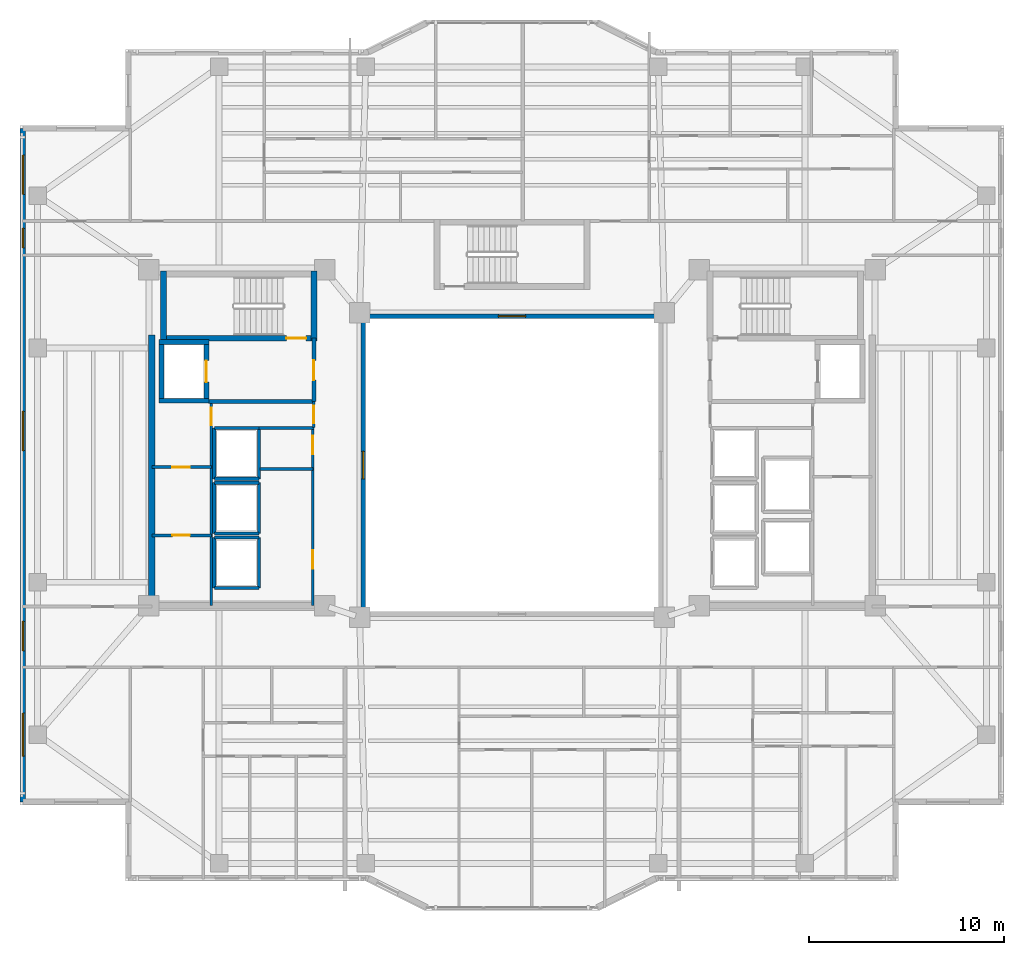
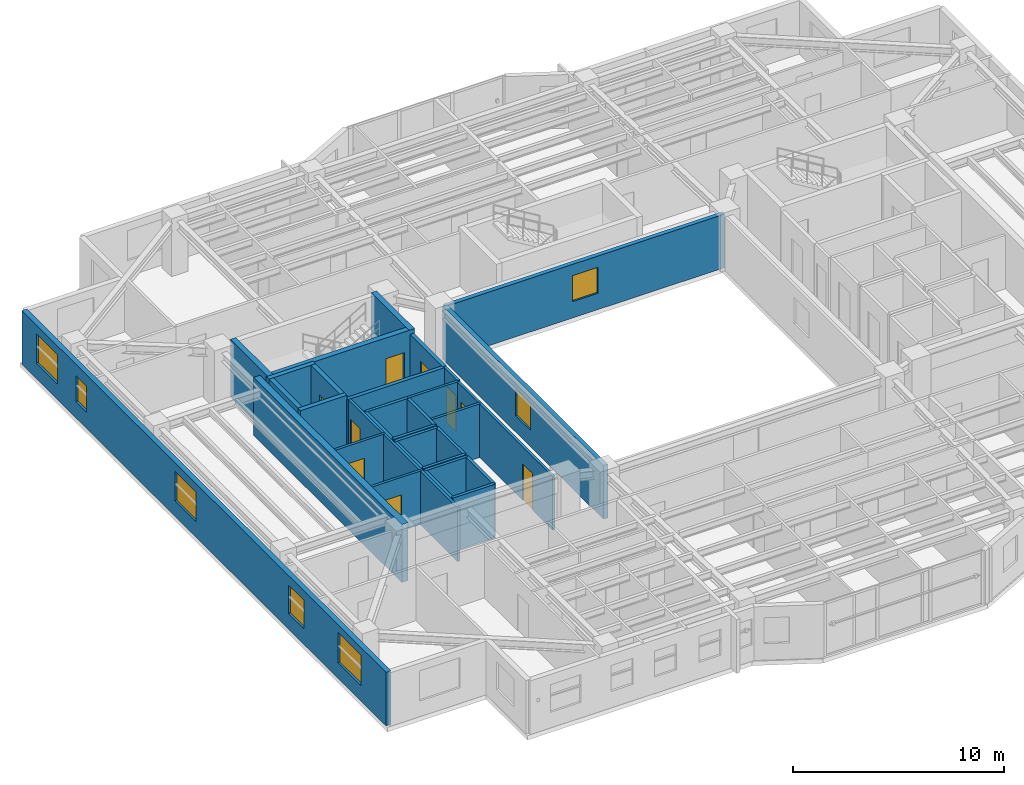
# One storey, part 7 of 16: 32 walls, 9 doors, 7 windows, 16 openings.
"""IFC4 building model written with IfcOpenShell, lengths in metres."""

import ifcopenshell
import ifcopenshell.guid

model = None  # the IFC model being written
_history = None  # IfcOwnerHistory: only IFC2X3 demands one
_inside = {}  # id of a spatial element -> (the spatial element, [elements in it])
_under = {}  # id of a project, library or spatial element -> (it, [spatial elements below it])
_declared = {}  # id of a project -> (the project, [libraries it declares])
_typed = {}  # id of a type object -> (the type object, [elements of that type])
_made_of = {}  # id of a material, layer set ... -> (it, [elements and type objects made of it])


def new_model(schema):
    """Start an empty IFC model of exactly this schema.

    Asked for "IFC4X3", IfcOpenShell would pick the latest addendum, in which some entities
    have other attributes; the version numbers below select the first issue.
    IFC2X3 requires an IfcOwnerHistory on every rooted entity: one is made here for all.
    """
    global model, _history
    if schema == "IFC4X3":
        model = ifcopenshell.file(schema_version=(4, 3, 0, 0))
    else:
        model = ifcopenshell.file(schema=schema)
    _inside.clear()
    _under.clear()
    _declared.clear()
    _typed.clear()
    _made_of.clear()
    _history = None
    if model.schema == "IFC2X3":
        org = make("IfcOrganization", Name="unknown")
        user = make(
            "IfcPersonAndOrganization",
            ThePerson=make("IfcPerson", FamilyName="unknown"),
            TheOrganization=org,
        )
        app = make(
            "IfcApplication",
            ApplicationDeveloper=org,
            Version="unknown",
            ApplicationFullName="unknown",
            ApplicationIdentifier="unknown",
        )
        _history = make(
            "IfcOwnerHistory",
            OwningUser=user,
            OwningApplication=app,
            ChangeAction="ADDED",
            CreationDate=0,
        )
    return model


def make(cls, **values):
    """One entity of the class cls with the attributes given. An attribute that is None is left unset."""
    return model.create_entity(
        cls, **{name: value for name, value in values.items() if value is not None}
    )


def rooted(cls, **values):
    """An entity with a GlobalId (a new one), such as an element, a storey or a relation."""
    return make(cls, GlobalId=ifcopenshell.guid.new(), OwnerHistory=_history, **values)


def si_unit(unit_type, name, prefix=None):
    """IfcSIUnit, for example si_unit("LENGTHUNIT", "METRE", prefix="MILLI")."""
    return make("IfcSIUnit", UnitType=unit_type, Prefix=prefix, Name=name)


def assignment(units):
    """IfcUnitAssignment: the units of a project."""
    return None if units is None else make("IfcUnitAssignment", Units=units)


def point(xyz):
    """IfcCartesianPoint."""
    return None if xyz is None else make("IfcCartesianPoint", Coordinates=xyz)


def direction(xyz):
    """IfcDirection."""
    return None if xyz is None else make("IfcDirection", DirectionRatios=xyz)


def frame(location, z_axis=None, x_axis=None):
    """IfcAxis2Placement3D, a coordinate frame: its origin and axes. An axis left out is left unset."""
    return make(
        "IfcAxis2Placement3D",
        Location=point(location),
        Axis=direction(z_axis),
        RefDirection=direction(x_axis),
    )


def frame_2d(location, x_axis=None):
    """IfcAxis2Placement2D, a coordinate frame in the plane: its origin and x axis."""
    return make(
        "IfcAxis2Placement2D", Location=point(location), RefDirection=direction(x_axis)
    )


def origin():
    """The frame at (0, 0, 0) with its axes left unset."""
    return frame((0.0, 0.0, 0.0))


def place(relative_to, where):
    """IfcLocalPlacement: puts the frame where relative to a parent placement (None: the world)."""
    return make(
        "IfcLocalPlacement", PlacementRelTo=relative_to, RelativePlacement=where
    )


def context(
    kind, dimensions, precision=None, world=None, true_north=None, identifier=None
):
    """IfcGeometricRepresentationContext, for example the 3D "Model" context."""
    return make(
        "IfcGeometricRepresentationContext",
        ContextIdentifier=identifier,
        ContextType=kind,
        CoordinateSpaceDimension=dimensions,
        Precision=precision,
        WorldCoordinateSystem=world,
        TrueNorth=true_north,
    )


def subcontext(parent, identifier, kind, view, scale=None):
    """IfcGeometricRepresentationSubContext, for example "Body" below "Model"."""
    return make(
        "IfcGeometricRepresentationSubContext",
        ContextIdentifier=identifier,
        ContextType=kind,
        ParentContext=parent,
        TargetScale=scale,
        TargetView=view,
    )


def project(units=None, contexts=None):
    """IfcProject with its units and contexts."""
    return rooted(
        "IfcProject",
        Name="project",
        RepresentationContexts=contexts,
        UnitsInContext=assignment(units),
    )


def spatial(cls, under=None, at=None, **own):
    """A site, building, storey or space (cls), placed at a placement, below another one or the project."""
    s = rooted(cls, ObjectPlacement=at, **own)
    if under is not None:
        _under.setdefault(under.id(), (under, []))[1].append(s)
    return s


def profile(cls, at=None, kind="AREA", **sizes):
    """A parametric profile (cls). Its sizes go by their IFC names, for example OverallWidth=200.0."""
    return make(cls, ProfileType=kind, Position=at, **sizes)


def rectangle(**sizes):
    """IfcRectangleProfileDef."""
    return profile("IfcRectangleProfileDef", **sizes)


def extrude(swept, where, along, depth):
    """IfcExtrudedAreaSolid: the profile swept, set in the frame where, extruded along a direction by depth."""
    return make(
        "IfcExtrudedAreaSolid",
        SweptArea=swept,
        Position=where,
        ExtrudedDirection=direction(along),
        Depth=depth,
    )


def shape(context_of_items, identifier, shape_type, items):
    """IfcShapeRepresentation: the items that make up one representation, for example the "Body"."""
    return make(
        "IfcShapeRepresentation",
        ContextOfItems=context_of_items,
        RepresentationIdentifier=identifier,
        RepresentationType=shape_type,
        Items=items,
    )


def material(Name=None, Category=None):
    """IfcMaterial."""
    return make("IfcMaterial", Name=Name, Category=Category)


def layer(
    of_material, thickness, ventilated=None, Name=None, Category=None, Priority=None
):
    """IfcMaterialLayer: one layer of a wall or slab, of a material (None: an air gap)."""
    return make(
        "IfcMaterialLayer",
        Material=of_material,
        LayerThickness=thickness,
        IsVentilated=ventilated,
        Name=Name,
        Category=Category,
        Priority=Priority,
    )


def layer_set(layers, Name=None):
    """IfcMaterialLayerSet."""
    return make("IfcMaterialLayerSet", MaterialLayers=layers, LayerSetName=Name)


def made_of(thing, what):
    """Note that an element or type object is made of a material, layer set ...; save() writes the relation."""
    if what is not None:
        _made_of.setdefault(what.id(), (what, []))[1].append(thing)
    return thing


def type_object(cls, material=None, **own):
    """A type object (cls), such as IfcWallType, which elements share."""
    return made_of(rooted(cls, **own), material)


def element(
    cls,
    number,
    at=None,
    inside=None,
    cuts=None,
    type_object=None,
    material=None,
    context=None,
    identifier="Body",
    shape_type=None,
    held_by="IfcProductDefinitionShape",
    body=None,
    shapes=None,
    **own,
):
    """One element of the class cls, such as IfcWall. Its Tag is "e" and its number.

    at: its placement. inside: the storey or other place that contains it. cuts: it is an
    opening in that element (IfcRelVoidsElement). A single representation is given by context,
    identifier, shape_type and body (its items); several are given by shapes. held_by: the class
    of the entity that holds the representations. save() writes the other relations.
    """
    e = rooted(cls, Tag="e%d" % number, ObjectPlacement=at, **own)
    if body is not None:
        shapes = [shape(context, identifier, shape_type, body)]
    if shapes is not None:
        e.Representation = make(held_by, Representations=shapes)
    if inside is not None:
        _inside.setdefault(inside.id(), (inside, []))[1].append(e)
    if cuts is not None:
        rooted(
            "IfcRelVoidsElement", RelatingBuildingElement=cuts, RelatedOpeningElement=e
        )
    if type_object is not None:
        _typed.setdefault(type_object.id(), (type_object, []))[1].append(e)
    return made_of(e, material)


def fill(opening, filler):
    """IfcRelFillsElement: the door or window that sits in an opening."""
    return rooted(
        "IfcRelFillsElement",
        RelatingOpeningElement=opening,
        RelatedBuildingElement=filler,
    )


def aggregate(whole, parts):
    """IfcRelAggregates: a whole, such as a stair, and the parts it consists of."""
    return rooted("IfcRelAggregates", RelatingObject=whole, RelatedObjects=parts)


def save(model, path):
    """Write the relations noted so far, then the file.

    IfcRelAggregates (storeys below a building ...), IfcRelContainedInSpatialStructure (elements
    in a storey), IfcRelDefinesByType, IfcRelAssociatesMaterial and IfcRelDeclares: one each for
    every whole, place, type object, material and project.
    """
    for whole, parts in _under.values():
        aggregate(whole, parts)
    for where, things in _inside.values():
        rooted(
            "IfcRelContainedInSpatialStructure",
            RelatedElements=things,
            RelatingStructure=where,
        )
    for kind, things in _typed.values():
        rooted("IfcRelDefinesByType", RelatedObjects=things, RelatingType=kind)
    for what, things in _made_of.values():
        rooted("IfcRelAssociatesMaterial", RelatedObjects=things, RelatingMaterial=what)
    for by, libraries in _declared.values():
        rooted("IfcRelDeclares", RelatingContext=by, RelatedDefinitions=libraries)
    model.write(path)


model = new_model("IFC4")

# Units and contexts
model_context = context("Model", 3, precision=1e-05, world=origin(), true_north=direction((0.0, 1.0)))
body_context = subcontext(model_context, "Body", "Model", "MODEL_VIEW")
ifc_project = project(units=[si_unit("LENGTHUNIT", "METRE"), si_unit("AREAUNIT", "SQUARE_METRE"), si_unit("VOLUMEUNIT", "CUBIC_METRE"), si_unit("PLANEANGLEUNIT", "RADIAN"), si_unit("MASSUNIT", "GRAM", prefix="KILO")], contexts=[model_context])

# Site, building, storey
site_placement = place(None, origin())
site = spatial("IfcSite", under=ifc_project, at=site_placement, CompositionType="ELEMENT")
building_placement = place(site_placement, origin())
building = spatial("IfcBuilding", under=site, at=building_placement, Name="Tarnavaz Court Tower", CompositionType="ELEMENT")
storey_placement = place(building_placement, frame((0.0, 0.0, 149.35009765625)))
storey = spatial("IfcBuildingStorey", under=building, at=storey_placement, Name="L40", CompositionType="ELEMENT", Elevation=149.35009765625)

# Wall
ifc_material_1 = material(Name="Concrete C50/60", Category="concrete")
ifc_layer_1 = layer(ifc_material_1, 0.25)
ifc_layer_set_1 = layer_set([ifc_layer_1], Name="Concrete C50/60")
wall_type_1 = type_object("IfcWallType", Name="WL-CORE-250-C50", PredefinedType="SHEAR", material=ifc_layer_set_1)
wall_1_placement = place(storey_placement, frame((-17.949951171875, 3.175048828125, 0.0), z_axis=(0.0, 0.0, 1.0), x_axis=(0.0, 1.0, 0.0)))
element("IfcWall", 1, at=wall_1_placement, inside=storey, type_object=wall_type_1, Name="L40 Lift FL-W1 Shaft Wall 017", PredefinedType="SHEAR", context=body_context, shape_type="SweptSolid", body=[
    extrude(rectangle(XDim=3.25, YDim=0.25, at=frame_2d((1.625, 0.0))), origin(), (0.0, 0.0, 1.0), 3.349853515625),
])

# Wall, opening, door
wall_2_placement = place(storey_placement, frame((-15.64990234375, 3.175048828125, 0.0), z_axis=(0.0, 0.0, 1.0), x_axis=(0.0, 1.0, 0.0)))
wall_2 = element("IfcWall", 2, at=wall_2_placement, inside=storey, type_object=wall_type_1, Name="L40 Lift FL-W1 Shaft Wall 018", PredefinedType="SHEAR", context=body_context, shape_type="SweptSolid", body=[
    extrude(rectangle(XDim=3.25, YDim=0.25, at=frame_2d((1.625, 0.0))), origin(), (0.0, 0.0, 1.0), 3.349853515625),
])
opening_1_placement = place(wall_2_placement, frame((1.074951171875, 0.0, 0.0)))
opening_1 = element("IfcOpeningElement", 3, at=opening_1_placement, cuts=wall_2, Name="Opening LD1", PredefinedType="OPENING", context=body_context, shape_type="SweptSolid", body=[
    extrude(rectangle(XDim=1.10009765625, YDim=2.14990234375, at=frame_2d((0.550048828125, 1.074951171875))), frame((0.0, 0.135009765625, 0.0), z_axis=(0.0, -1.0, 0.0), x_axis=(1.0, 0.0, 0.0)), (0.0, 0.0, 1.0), 0.27001953125),
])
ifc_material_2 = material(Name="Stainless Steel", Category="steel")
door_type_1 = type_object("IfcDoorType", Name="DR-LD-1100", OperationType="NOTDEFINED", PredefinedType="DOOR", material=ifc_material_2)
door_1_placement = place(opening_1_placement, origin())
door_1 = element("IfcDoor", 4, at=door_1_placement, inside=storey, type_object=door_type_1, Name="L40 Lift Landing Door LD-FL-W1", OperationType="SLIDING_TO_LEFT", OverallHeight=2.14990234375, OverallWidth=1.10009765625, PredefinedType="DOOR", context=body_context, shape_type="SweptSolid", body=[
    extrude(rectangle(XDim=1.10009765625, YDim=2.14990234375, at=frame_2d((0.550048828125, 1.074951171875))), frame((0.0, 0.02490234375, 0.0), z_axis=(0.0, -1.0, 0.0), x_axis=(1.0, 0.0, 0.0)), (0.0, 0.0, 1.0), 0.050048828125),
])
fill(opening_1, door_1)

# Walls
for number, where, z_axis, x_axis, name in (
    (5, (-18.074951171875, 3.300048828125, 0.0), (0.0, 0.0, 1.0), (1.0, 0.0, 0.0), "L40 Lift FL-W1 Shaft Wall 019"),
    (6, (-18.074951171875, 6.300048828125, 0.0), (0.0, 0.0, 1.0), (1.0, 0.0, 0.0), "L40 Lift FL-W1 Shaft Wall 020"),
):
    element("IfcWall", number, at=place(storey_placement, frame(where, z_axis=z_axis, x_axis=x_axis)), inside=storey, type_object=wall_type_1, Name=name, PredefinedType="SHEAR", context=body_context, shape_type="SweptSolid", body=[
        extrude(rectangle(XDim=2.550048828125, YDim=0.25, at=frame_2d((1.27490234375, 0.0))), origin(), (0.0, 0.0, 1.0), 3.349853515625),
    ])

# Wall, opening, door
ifc_layer_2 = layer(ifc_material_1, 0.300048828125)
ifc_layer_set_2 = layer_set([ifc_layer_2], Name="Concrete C50/60")
wall_type_2 = type_object("IfcWallType", Name="WL-CORE-300-C50", PredefinedType="SHEAR", material=ifc_layer_set_2)
wall_3_placement = place(storey_placement, frame((-18.0, 6.5, 0.0), z_axis=(0.0, 0.0, 1.0), x_axis=(1.0, 0.0, 0.0)))
wall_3 = element("IfcWall", 7, at=wall_3_placement, inside=storey, type_object=wall_type_2, Name="L40 West Stair Core Wall 002", PredefinedType="SHEAR", context=body_context, shape_type="SweptSolid", body=[
    extrude(rectangle(XDim=8.0, YDim=0.300048828125, at=frame_2d((4.0, 0.0))), origin(), (0.0, 0.0, 1.0), 3.349853515625),
])
opening_2_placement = place(wall_3_placement, frame((6.449951171875, 0.0, 0.0)))
opening_2 = element("IfcOpeningElement", 8, at=opening_2_placement, cuts=wall_3, Name="Opening D01", PredefinedType="OPENING", context=body_context, shape_type="SweptSolid", body=[
    extrude(rectangle(XDim=1.0, YDim=2.14990234375, at=frame_2d((0.5, 1.074951171875))), frame((0.0, 0.159912109375, 0.0), z_axis=(0.0, -1.0, 0.0), x_axis=(1.0, 0.0, 0.0)), (0.0, 0.0, 1.0), 0.320068359375),
])
ifc_material_3 = material(Name="Fire-Rated Hardwood Timber Core", Category="wood")
door_type_2 = type_object("IfcDoorType", Name="DR-FD90-1000", OperationType="NOTDEFINED", PredefinedType="DOOR", material=ifc_material_3)
door_2_placement = place(opening_2_placement, origin())
door_2 = element("IfcDoor", 9, at=door_2_placement, inside=storey, type_object=door_type_2, Name="L40 Stair ST-W1 Exit Door", OperationType="SINGLE_SWING_LEFT", OverallHeight=2.14990234375, OverallWidth=1.0, PredefinedType="DOOR", context=body_context, shape_type="SweptSolid", body=[
    extrude(rectangle(XDim=1.0, YDim=2.14990234375, at=frame_2d((0.5, 1.074951171875))), frame((0.0, 0.02490234375, 0.0), z_axis=(0.0, -1.0, 0.0), x_axis=(1.0, 0.0, 0.0)), (0.0, 0.0, 1.0), 0.050048828125),
])
fill(opening_2, door_2)

# Walls
for number, where, z_axis, x_axis, name in (
    (10, (-17.85009765625, 6.35009765625, 0.0), (0.0, 0.0, 1.0), (0.0, 1.0, 0.0), "L40 West Stair Core Wall 003"),
    (11, (-10.14990234375, 6.35009765625, 0.0), (0.0, 0.0, 1.0), (0.0, 1.0, 0.0), "L40 West Stair Core Wall 004"),
):
    element("IfcWall", number, at=place(storey_placement, frame(where, z_axis=z_axis, x_axis=x_axis)), inside=storey, type_object=wall_type_2, Name=name, PredefinedType="SHEAR", context=body_context, shape_type="SweptSolid", body=[
        extrude(rectangle(XDim=3.58984375, YDim=0.300048828125, at=frame_2d((1.794921875, 0.0))), origin(), (0.0, 0.0, 1.0), 3.349853515625),
    ])
ifc_layer_3 = layer(ifc_material_1, 0.35009765625)
ifc_layer_set_3 = layer_set([ifc_layer_3], Name="Concrete C50/60")
wall_type_3 = type_object("IfcWallType", Name="WL-CORE-350-C50", PredefinedType="SHEAR", material=ifc_layer_set_3)
wall_4_placement = place(storey_placement, frame((-18.449951171875, -7.375, 0.0), z_axis=(0.0, 0.0, 1.0), x_axis=(0.0, 1.0, 0.0)))
element("IfcWall", 12, at=wall_4_placement, inside=storey, type_object=wall_type_3, Name="L40 West Core Shear Wall 057", PredefinedType="SHEAR", context=body_context, shape_type="SweptSolid", body=[
    extrude(rectangle(XDim=14.050048828125, YDim=0.35009765625, at=frame_2d((7.02490234375, 0.0))), origin(), (0.0, 0.0, 1.0), 3.349853515625),
])

# Wall, openings, windows
ifc_material_4 = material(Name="Precast Concrete C40/50", Category="concrete")
ifc_layer_4 = layer(ifc_material_4, 0.280029296875)
ifc_layer_set_4 = layer_set([ifc_layer_4], Name="Precast Concrete C40/50")
wall_type_4 = type_object("IfcWallType", Name="WL-EXT-280", PredefinedType="SOLIDWALL", material=ifc_layer_set_4)
wall_5_placement = place(storey_placement, frame((-25.050048828125, -17.25, 0.0), z_axis=(0.0, 0.0, 1.0), x_axis=(0.0, 1.0, 0.0)))
wall_5 = element("IfcWall", 13, at=wall_5_placement, inside=storey, type_object=wall_type_4, Name="L40 Exterior Terracotta Facade Wall 02", PredefinedType="SOLIDWALL", context=body_context, shape_type="SweptSolid", body=[
    extrude(rectangle(XDim=34.5, YDim=0.280029296875, at=frame_2d((17.25, 0.0))), origin(), (0.0, 0.0, 1.0), 3.099853515625),
])
opening_3_placement = place(wall_5_placement, frame((2.35009765625, 0.0, 0.89990234375)))
opening_3 = element("IfcOpeningElement", 14, at=opening_3_placement, cuts=wall_5, Name="Opening W07", PredefinedType="OPENING", context=body_context, shape_type="SweptSolid", body=[
    extrude(rectangle(XDim=2.199951171875, YDim=1.75, at=frame_2d((1.10009765625, 0.875))), frame((0.0, 0.14990234375, 0.0), z_axis=(0.0, -1.0, 0.0), x_axis=(1.0, 0.0, 0.0)), (0.0, 0.0, 1.0), 0.300048828125),
])
opening_4_placement = place(wall_5_placement, frame((7.742431640625, 0.0, 0.89990234375)))
opening_4 = element("IfcOpeningElement", 15, at=opening_4_placement, cuts=wall_5, Name="Opening W03", PredefinedType="OPENING", context=body_context, shape_type="SweptSolid", body=[
    extrude(rectangle(XDim=1.5, YDim=1.64990234375, at=frame_2d((0.75, 0.824951171875))), frame((0.0, 0.14990234375, 0.0), z_axis=(0.0, -1.0, 0.0), x_axis=(1.0, 0.0, 0.0)), (0.0, 0.0, 1.0), 0.300048828125),
])
opening_5_placement = place(wall_5_placement, frame((18.0, 0.0, 0.89990234375)))
opening_5 = element("IfcOpeningElement", 16, at=opening_5_placement, cuts=wall_5, Name="Opening W08", PredefinedType="OPENING", context=body_context, shape_type="SweptSolid", body=[
    extrude(rectangle(XDim=2.0, YDim=1.699951171875, at=frame_2d((1.0, 0.85009765625))), frame((0.0, 0.14990234375, 0.0), z_axis=(0.0, -1.0, 0.0), x_axis=(1.0, 0.0, 0.0)), (0.0, 0.0, 1.0), 0.300048828125),
])
opening_6_placement = place(wall_5_placement, frame((28.375, 0.0, 0.949951171875)))
opening_6 = element("IfcOpeningElement", 17, at=opening_6_placement, cuts=wall_5, Name="Opening W14", PredefinedType="OPENING", context=body_context, shape_type="SweptSolid", body=[
    extrude(rectangle(XDim=1.0, YDim=1.5, at=frame_2d((0.5, 0.75))), frame((0.0, 0.14990234375, 0.0), z_axis=(0.0, -1.0, 0.0), x_axis=(1.0, 0.0, 0.0)), (0.0, 0.0, 1.0), 0.300048828125),
])
opening_7_placement = place(wall_5_placement, frame((31.125, 0.0, 0.89990234375)))
opening_7 = element("IfcOpeningElement", 18, at=opening_7_placement, cuts=wall_5, Name="Opening W08", PredefinedType="OPENING", context=body_context, shape_type="SweptSolid", body=[
    extrude(rectangle(XDim=2.0, YDim=1.699951171875, at=frame_2d((1.0, 0.85009765625))), frame((0.0, 0.14990234375, 0.0), z_axis=(0.0, -1.0, 0.0), x_axis=(1.0, 0.0, 0.0)), (0.0, 0.0, 1.0), 0.300048828125),
])
ifc_material_5 = material(Name="Double-Glazed Solar Low-E Glass", Category="glass")
window_type_1 = type_object("IfcWindowType", Name="WN-APT-1000", PartitioningType="SINGLE_PANEL", PredefinedType="WINDOW", material=ifc_material_5)
window_1_placement = place(opening_6_placement, origin())
window_1 = element("IfcWindow", 19, at=window_1_placement, inside=storey, type_object=window_type_1, Name="L40 North-West Corner Corridor Window", OverallHeight=1.5, OverallWidth=1.0, PartitioningType="SINGLE_PANEL", PredefinedType="WINDOW", context=body_context, shape_type="SweptSolid", body=[
    extrude(rectangle(XDim=1.0, YDim=1.5, at=frame_2d((0.5, 0.75))), frame((0.0, 0.030029296875, 0.0), z_axis=(0.0, -1.0, 0.0), x_axis=(1.0, 0.0, 0.0)), (0.0, 0.0, 1.0), 0.06005859375),
])
fill(opening_6, window_1)
window_type_2 = type_object("IfcWindowType", Name="WN-APT-1500", PartitioningType="DOUBLE_PANEL_VERTICAL", PredefinedType="WINDOW", material=ifc_material_5)
window_2_placement = place(opening_4_placement, origin())
window_2 = element("IfcWindow", 20, at=window_2_placement, inside=storey, type_object=window_type_2, Name="L40 South-West Corner Corridor Window", OverallHeight=1.64990234375, OverallWidth=1.5, PartitioningType="SINGLE_PANEL", PredefinedType="WINDOW", context=body_context, shape_type="SweptSolid", body=[
    extrude(rectangle(XDim=1.5, YDim=1.64990234375, at=frame_2d((0.75, 0.824951171875))), frame((0.0, 0.030029296875, 0.0), z_axis=(0.0, -1.0, 0.0), x_axis=(1.0, 0.0, 0.0)), (0.0, 0.0, 1.0), 0.06005859375),
])
fill(opening_4, window_2)
window_type_3 = type_object("IfcWindowType", Name="WN-APT-2000", PartitioningType="DOUBLE_PANEL_VERTICAL", PredefinedType="WINDOW", material=ifc_material_5)
window_3_placement = place(opening_5_placement, origin())
window_3 = element("IfcWindow", 21, at=window_3_placement, inside=storey, type_object=window_type_3, Name="L40 West Wing Panoramic Study Gallery Window", OverallHeight=1.699951171875, OverallWidth=2.0, PartitioningType="SINGLE_PANEL", PredefinedType="WINDOW", context=body_context, shape_type="SweptSolid", body=[
    extrude(rectangle(XDim=2.0, YDim=1.699951171875, at=frame_2d((1.0, 0.85009765625))), frame((0.0, 0.030029296875, 0.0), z_axis=(0.0, -1.0, 0.0), x_axis=(1.0, 0.0, 0.0)), (0.0, 0.0, 1.0), 0.06005859375),
])
fill(opening_5, window_3)
window_4_placement = place(opening_7_placement, origin())
window_4 = element("IfcWindow", 22, at=window_4_placement, inside=storey, type_object=window_type_3, Name="L40 North-West Corner Sunroom Study Window", OverallHeight=1.699951171875, OverallWidth=2.0, PartitioningType="SINGLE_PANEL", PredefinedType="WINDOW", context=body_context, shape_type="SweptSolid", body=[
    extrude(rectangle(XDim=2.0, YDim=1.699951171875, at=frame_2d((1.0, 0.85009765625))), frame((0.0, 0.030029296875, 0.0), z_axis=(0.0, -1.0, 0.0), x_axis=(1.0, 0.0, 0.0)), (0.0, 0.0, 1.0), 0.06005859375),
])
fill(opening_7, window_4)
window_type_4 = type_object("IfcWindowType", Name="WN-APT-2200", PartitioningType="TRIPLE_PANEL_VERTICAL", PredefinedType="WINDOW", material=ifc_material_5)
window_5_placement = place(opening_3_placement, origin())
window_5 = element("IfcWindow", 23, at=window_5_placement, inside=storey, type_object=window_type_4, Name="L40 South-West Corner Reading Room Window", OverallHeight=1.75, OverallWidth=2.199951171875, PartitioningType="SINGLE_PANEL", PredefinedType="WINDOW", context=body_context, shape_type="SweptSolid", body=[
    extrude(rectangle(XDim=2.199951171875, YDim=1.75, at=frame_2d((1.10009765625, 0.875))), frame((0.0, 0.030029296875, 0.0), z_axis=(0.0, -1.0, 0.0), x_axis=(1.0, 0.0, 0.0)), (0.0, 0.0, 1.0), 0.06005859375),
])
fill(opening_3, window_5)

# Wall
ifc_material_6 = material(Name="Autoclaved Aerated Concrete Blockwork", Category="masonry")
ifc_layer_5 = layer(ifc_material_6, 0.199951171875)
ifc_layer_set_5 = layer_set([ifc_layer_5], Name="Autoclaved Aerated Concrete Blockwork")
wall_type_5 = type_object("IfcWallType", Name="WL-FIRE-200", PredefinedType="SOLIDWALL", material=ifc_layer_set_5)
wall_6_placement = place(storey_placement, frame((-15.550048828125, 3.25, 0.0), z_axis=(0.0, 0.0, 1.0), x_axis=(1.0, 0.0, 0.0)))
element("IfcWall", 24, at=wall_6_placement, inside=storey, type_object=wall_type_5, Name="L40 West Firefighting Lobby Wall 013", PredefinedType="SOLIDWALL", context=body_context, shape_type="SweptSolid", body=[
    extrude(rectangle(XDim=5.400146484375, YDim=0.199951171875, at=frame_2d((2.7001953125, 0.0))), origin(), (0.0, 0.0, 1.0), 3.099853515625),
])

# Wall, opening, door
wall_7_placement = place(storey_placement, frame((-10.14990234375, 3.25, 0.0), z_axis=(0.0, 0.0, 1.0), x_axis=(0.0, 1.0, 0.0)))
wall_7 = element("IfcWall", 25, at=wall_7_placement, inside=storey, type_object=wall_type_5, Name="L40 West Firefighting Lobby Wall 014", PredefinedType="SOLIDWALL", context=body_context, shape_type="SweptSolid", body=[
    extrude(rectangle(XDim=3.25, YDim=0.199951171875, at=frame_2d((1.625, 0.0))), origin(), (0.0, 0.0, 1.0), 3.099853515625),
])
opening_8_placement = place(wall_7_placement, frame((1.10009765625, 0.0, 0.0)))
opening_8 = element("IfcOpeningElement", 26, at=opening_8_placement, cuts=wall_7, Name="Opening D05", PredefinedType="OPENING", context=body_context, shape_type="SweptSolid", body=[
    extrude(rectangle(XDim=1.02001953125, YDim=2.14990234375, at=frame_2d((0.510009765625, 1.074951171875))), frame((0.0, 0.10986328125, 0.0), z_axis=(0.0, -1.0, 0.0), x_axis=(1.0, 0.0, 0.0)), (0.0, 0.0, 1.0), 0.219970703125),
])
door_type_3 = type_object("IfcDoorType", Name="DR-FD60-1000", OperationType="NOTDEFINED", PredefinedType="DOOR", material=ifc_material_3)
door_3_placement = place(opening_8_placement, origin())
door_3 = element("IfcDoor", 27, at=door_3_placement, inside=storey, type_object=door_type_3, Name="L40 West Firefighting Lobby Door", OperationType="SINGLE_SWING_RIGHT", OverallHeight=2.14990234375, OverallWidth=1.02001953125, PredefinedType="DOOR", context=body_context, shape_type="SweptSolid", body=[
    extrude(rectangle(XDim=1.02001953125, YDim=2.14990234375, at=frame_2d((0.510009765625, 1.074951171875))), frame((0.0, 0.02490234375, 0.0), z_axis=(0.0, -1.0, 0.0), x_axis=(1.0, 0.0, 0.0)), (0.0, 0.0, 1.0), 0.050048828125),
])
fill(opening_8, door_3)

# Wall
ifc_material_7 = material(Name="Gypsum Plasterboard Acoustic Partition", Category="masonry")
ifc_layer_6 = layer(ifc_material_7, 0.139892578125)
ifc_layer_set_6 = layer_set([ifc_layer_6], Name="Gypsum Plasterboard Acoustic Partition")
wall_type_6 = type_object("IfcWallType", Name="WL-PART-150", PredefinedType="PARTITIONING", material=ifc_layer_set_6)
wall_8_placement = place(storey_placement, frame((-12.949951171875, 1.89990234375, 0.0), z_axis=(0.0, 0.0, 1.0), x_axis=(1.0, 0.0, 0.0)))
element("IfcWall", 28, at=wall_8_placement, inside=storey, type_object=wall_type_6, Name="L40 Interior Partition 061", PredefinedType="PARTITIONING", context=body_context, shape_type="SweptSolid", body=[
    extrude(rectangle(XDim=2.800048828125, YDim=0.139892578125, at=frame_2d((1.39990234375, 0.0))), origin(), (0.0, 0.0, 1.0), 3.099853515625),
])

# Wall, opening, door
wall_9_placement = place(storey_placement, frame((-10.14990234375, 1.919921875, 0.0), z_axis=(0.0, 0.0, 1.0), x_axis=(0.0, 1.0, 0.0)))
wall_9 = element("IfcWall", 29, at=wall_9_placement, inside=storey, type_object=wall_type_6, Name="L40 Interior Partition 062", PredefinedType="PARTITIONING", context=body_context, shape_type="SweptSolid", body=[
    extrude(rectangle(XDim=1.330078125, YDim=0.139892578125, at=frame_2d((0.6650390625, 0.0))), origin(), (0.0, 0.0, 1.0), 3.099853515625),
])
opening_9_placement = place(wall_9_placement, frame((0.219970703125, 0.0, 0.0)))
opening_9 = element("IfcOpeningElement", 30, at=opening_9_placement, cuts=wall_9, Name="Opening D09", PredefinedType="OPENING", context=body_context, shape_type="SweptSolid", body=[
    extrude(rectangle(XDim=0.89990234375, YDim=2.080078125, at=frame_2d((0.449951171875, 1.0400390625))), frame((0.0, 0.079833984375, 0.0), z_axis=(0.0, -1.0, 0.0), x_axis=(1.0, 0.0, 0.0)), (0.0, 0.0, 1.0), 0.159912109375),
])
door_type_4 = type_object("IfcDoorType", Name="DR-FD30-900", OperationType="NOTDEFINED", PredefinedType="DOOR", material=ifc_material_3)
door_4_placement = place(opening_9_placement, origin())
door_4 = element("IfcDoor", 31, at=door_4_placement, inside=storey, type_object=door_type_4, Name="L40 West Core Service Lobby Door", OperationType="SINGLE_SWING_LEFT", OverallHeight=2.080078125, OverallWidth=0.89990234375, PredefinedType="DOOR", context=body_context, shape_type="SweptSolid", body=[
    extrude(rectangle(XDim=0.89990234375, YDim=2.080078125, at=frame_2d((0.449951171875, 1.0400390625))), frame((0.0, 0.02490234375, 0.0), z_axis=(0.0, -1.0, 0.0), x_axis=(1.0, 0.0, 0.0)), (0.0, 0.0, 1.0), 0.050048828125),
])
fill(opening_9, door_4)

wall_10_placement = place(storey_placement, frame((-15.39990234375, -7.199951171875, 0.0), z_axis=(0.0, 0.0, 1.0), x_axis=(0.0, 1.0, 0.0)))
wall_10 = element("IfcWall", 32, at=wall_10_placement, inside=storey, type_object=wall_type_6, Name="L40 Interior Partition 063", PredefinedType="PARTITIONING", context=body_context, shape_type="SweptSolid", body=[
    extrude(rectangle(XDim=10.449951171875, YDim=0.139892578125, at=frame_2d((5.22509765625, 0.0))), origin(), (0.0, 0.0, 1.0), 3.099853515625),
])
opening_10_placement = place(wall_10_placement, frame((9.25, 0.0, 0.0)))
opening_10 = element("IfcOpeningElement", 33, at=opening_10_placement, cuts=wall_10, Name="Opening D09", PredefinedType="OPENING", context=body_context, shape_type="SweptSolid", body=[
    extrude(rectangle(XDim=0.89990234375, YDim=2.080078125, at=frame_2d((0.449951171875, 1.0400390625))), frame((0.0, 0.079833984375, 0.0), z_axis=(0.0, -1.0, 0.0), x_axis=(1.0, 0.0, 0.0)), (0.0, 0.0, 1.0), 0.159912109375),
])
door_5_placement = place(opening_10_placement, origin())
door_5 = element("IfcDoor", 34, at=door_5_placement, inside=storey, type_object=door_type_4, Name="L40 West ICT Comms Door", OperationType="SINGLE_SWING_RIGHT", OverallHeight=2.080078125, OverallWidth=0.89990234375, PredefinedType="DOOR", context=body_context, shape_type="SweptSolid", body=[
    extrude(rectangle(XDim=0.89990234375, YDim=2.080078125, at=frame_2d((0.449951171875, 1.0400390625))), frame((0.0, 0.02490234375, 0.0), z_axis=(0.0, -1.0, 0.0), x_axis=(1.0, 0.0, 0.0)), (0.0, 0.0, 1.0), 0.050048828125),
])
fill(opening_10, door_5)

wall_11_placement = place(storey_placement, frame((-18.449951171875, -3.60009765625, 0.0), z_axis=(0.0, 0.0, 1.0), x_axis=(1.0, 0.0, 0.0)))
wall_11 = element("IfcWall", 35, at=wall_11_placement, inside=storey, type_object=wall_type_6, Name="L40 Interior Partition 064", PredefinedType="PARTITIONING", context=body_context, shape_type="SweptSolid", body=[
    extrude(rectangle(XDim=3.050048828125, YDim=0.139892578125, at=frame_2d((1.52490234375, 0.0))), origin(), (0.0, 0.0, 1.0), 3.099853515625),
])
opening_11_placement = place(wall_11_placement, frame((1.050048828125, 0.0, 0.0)))
opening_11 = element("IfcOpeningElement", 36, at=opening_11_placement, cuts=wall_11, Name="Opening D09", PredefinedType="OPENING", context=body_context, shape_type="SweptSolid", body=[
    extrude(rectangle(XDim=0.89990234375, YDim=2.080078125, at=frame_2d((0.449951171875, 1.0400390625))), frame((0.0, 0.079833984375, 0.0), z_axis=(0.0, -1.0, 0.0), x_axis=(1.0, 0.0, 0.0)), (0.0, 0.0, 1.0), 0.159912109375),
])
door_6_placement = place(opening_11_placement, origin())
door_6 = element("IfcDoor", 37, at=door_6_placement, inside=storey, type_object=door_type_4, Name="L40 West Electrical Closet Door", OperationType="SINGLE_SWING_RIGHT", OverallHeight=2.080078125, OverallWidth=0.89990234375, PredefinedType="DOOR", context=body_context, shape_type="SweptSolid", body=[
    extrude(rectangle(XDim=0.89990234375, YDim=2.080078125, at=frame_2d((0.449951171875, 1.0400390625))), frame((0.0, 0.02490234375, 0.0), z_axis=(0.0, -1.0, 0.0), x_axis=(1.0, 0.0, 0.0)), (0.0, 0.0, 1.0), 0.050048828125),
])
fill(opening_11, door_6)

wall_12_placement = place(storey_placement, frame((-18.449951171875, -0.10009765625, 0.0), z_axis=(0.0, 0.0, 1.0), x_axis=(1.0, 0.0, 0.0)))
wall_12 = element("IfcWall", 38, at=wall_12_placement, inside=storey, type_object=wall_type_6, Name="L40 Interior Partition 065", PredefinedType="PARTITIONING", context=body_context, shape_type="SweptSolid", body=[
    extrude(rectangle(XDim=3.050048828125, YDim=0.139892578125, at=frame_2d((1.52490234375, 0.0))), origin(), (0.0, 0.0, 1.0), 3.099853515625),
])
opening_12_placement = place(wall_12_placement, frame((1.050048828125, 0.0, 0.0)))
opening_12 = element("IfcOpeningElement", 39, at=opening_12_placement, cuts=wall_12, Name="Opening D09", PredefinedType="OPENING", context=body_context, shape_type="SweptSolid", body=[
    extrude(rectangle(XDim=0.89990234375, YDim=2.080078125, at=frame_2d((0.449951171875, 1.0400390625))), frame((0.0, 0.079833984375, 0.0), z_axis=(0.0, -1.0, 0.0), x_axis=(1.0, 0.0, 0.0)), (0.0, 0.0, 1.0), 0.159912109375),
])
door_7_placement = place(opening_12_placement, origin())
door_7 = element("IfcDoor", 40, at=door_7_placement, inside=storey, type_object=door_type_4, Name="L40 West Chilled-Water Riser Door", OperationType="SINGLE_SWING_LEFT", OverallHeight=2.080078125, OverallWidth=0.89990234375, PredefinedType="DOOR", context=body_context, shape_type="SweptSolid", body=[
    extrude(rectangle(XDim=0.89990234375, YDim=2.080078125, at=frame_2d((0.449951171875, 1.0400390625))), frame((0.0, 0.02490234375, 0.0), z_axis=(0.0, -1.0, 0.0), x_axis=(1.0, 0.0, 0.0)), (0.0, 0.0, 1.0), 0.050048828125),
])
fill(opening_12, door_7)

# Wall, openings, doors
wall_13_placement = place(storey_placement, frame((-10.199951171875, -7.199951171875, 0.0), z_axis=(0.0, 0.0, 1.0), x_axis=(0.0, 1.0, 0.0)))
wall_13 = element("IfcWall", 41, at=wall_13_placement, inside=storey, type_object=wall_type_6, Name="L40 West Reclaimed Core Wall 066", PredefinedType="PARTITIONING", context=body_context, shape_type="SweptSolid", body=[
    extrude(rectangle(XDim=9.119873046875, YDim=0.139892578125, at=frame_2d((4.56005859375, 0.0))), origin(), (0.0, 0.0, 1.0), 3.099853515625),
])
opening_13_placement = place(wall_13_placement, frame((1.89990234375, 0.0, 0.0)))
opening_13 = element("IfcOpeningElement", 42, at=opening_13_placement, cuts=wall_13, Name="Opening D08", PredefinedType="OPENING", context=body_context, shape_type="SweptSolid", body=[
    extrude(rectangle(XDim=0.949951171875, YDim=2.1201171875, at=frame_2d((0.47509765625, 1.06005859375))), frame((0.0, 0.079833984375, 0.0), z_axis=(0.0, -1.0, 0.0), x_axis=(1.0, 0.0, 0.0)), (0.0, 0.0, 1.0), 0.159912109375),
])
opening_14_placement = place(wall_13_placement, frame((7.75, 0.0, 0.0)))
opening_14 = element("IfcOpeningElement", 43, at=opening_14_placement, cuts=wall_13, Name="Opening D08", PredefinedType="OPENING", context=body_context, shape_type="SweptSolid", body=[
    extrude(rectangle(XDim=0.949951171875, YDim=2.1201171875, at=frame_2d((0.47509765625, 1.06005859375))), frame((0.0, 0.079833984375, 0.0), z_axis=(0.0, -1.0, 0.0), x_axis=(1.0, 0.0, 0.0)), (0.0, 0.0, 1.0), 0.159912109375),
])
door_type_5 = type_object("IfcDoorType", Name="DR-FD30-950", OperationType="NOTDEFINED", PredefinedType="DOOR", material=ifc_material_3)
door_8_placement = place(opening_13_placement, origin())
door_8 = element("IfcDoor", 44, at=door_8_placement, inside=storey, type_object=door_type_5, Name="L40 West Study Room Door", OperationType="SINGLE_SWING_LEFT", OverallHeight=2.1201171875, OverallWidth=0.949951171875, PredefinedType="DOOR", context=body_context, shape_type="SweptSolid", body=[
    extrude(rectangle(XDim=0.949951171875, YDim=2.1201171875, at=frame_2d((0.47509765625, 1.06005859375))), frame((0.0, 0.02490234375, 0.0), z_axis=(0.0, -1.0, 0.0), x_axis=(1.0, 0.0, 0.0)), (0.0, 0.0, 1.0), 0.050048828125),
])
fill(opening_13, door_8)
door_9_placement = place(opening_14_placement, origin())
door_9 = element("IfcDoor", 45, at=door_9_placement, inside=storey, type_object=door_type_5, Name="L40 West Laundry Room Door", OperationType="SINGLE_SWING_RIGHT", OverallHeight=2.1201171875, OverallWidth=0.949951171875, PredefinedType="DOOR", context=body_context, shape_type="SweptSolid", body=[
    extrude(rectangle(XDim=0.949951171875, YDim=2.1201171875, at=frame_2d((0.47509765625, 1.06005859375))), frame((0.0, 0.02490234375, 0.0), z_axis=(0.0, -1.0, 0.0), x_axis=(1.0, 0.0, 0.0)), (0.0, 0.0, 1.0), 0.050048828125),
])
fill(opening_14, door_9)

# Walls
wall_14_placement = place(storey_placement, frame((-12.89990234375, -0.199951171875, 0.0), z_axis=(0.0, 0.0, 1.0), x_axis=(1.0, 0.0, 0.0)))
element("IfcWall", 46, at=wall_14_placement, inside=storey, type_object=wall_type_6, Name="L40 Interior Partition 067", PredefinedType="PARTITIONING", context=body_context, shape_type="SweptSolid", body=[
    extrude(rectangle(XDim=2.699951171875, YDim=0.139892578125, at=frame_2d((1.35009765625, 0.0))), origin(), (0.0, 0.0, 1.0), 3.099853515625),
])
ifc_layer_7 = layer(ifc_material_6, 0.159912109375)
ifc_layer_set_7 = layer_set([ifc_layer_7], Name="Autoclaved Aerated Concrete Blockwork")
wall_type_7 = type_object("IfcWallType", Name="WL-SHAFT-150", PredefinedType="SOLIDWALL", material=ifc_layer_set_7)
for number, where, z_axis, x_axis, name in (
    (47, (-15.25, -6.300048828125, 0.0), (0.0, 0.0, 1.0), (0.0, 1.0, 0.0), "L40 Lift PL-H1 Shaft Wall 021"),
    (48, (-12.949951171875, -6.300048828125, 0.0), (0.0, 0.0, 1.0), (0.0, 1.0, 0.0), "L40 Lift PL-H1 Shaft Wall 022"),
):
    element("IfcWall", number, at=place(storey_placement, frame(where, z_axis=z_axis, x_axis=x_axis)), inside=storey, type_object=wall_type_7, Name=name, PredefinedType="SOLIDWALL", context=body_context, shape_type="SweptSolid", body=[
        extrude(rectangle(XDim=2.60009765625, YDim=0.159912109375, at=frame_2d((1.300048828125, 0.0))), origin(), (0.0, 0.0, 1.0), 3.099853515625),
    ])
for number, where, z_axis, x_axis, name in (
    (49, (-15.25, -6.300048828125, 0.0), (0.0, 0.0, 1.0), (1.0, 0.0, 0.0), "L40 Lift PL-H1 Shaft Wall 023"),
    (50, (-15.25, -3.699951171875, 0.0), (0.0, 0.0, 1.0), (1.0, 0.0, 0.0), "L40 Lift PL-H1 Shaft Wall 024"),
):
    element("IfcWall", number, at=place(storey_placement, frame(where, z_axis=z_axis, x_axis=x_axis)), inside=storey, type_object=wall_type_7, Name=name, PredefinedType="SOLIDWALL", context=body_context, shape_type="SweptSolid", body=[
        extrude(rectangle(XDim=2.300048828125, YDim=0.159912109375, at=frame_2d((1.14990234375, 0.0))), origin(), (0.0, 0.0, 1.0), 3.099853515625),
    ])
for number, where, z_axis, x_axis, name in (
    (51, (-15.25, -3.5, 0.0), (0.0, 0.0, 1.0), (0.0, 1.0, 0.0), "L40 Lift PL-H2 Shaft Wall 025"),
    (52, (-12.949951171875, -3.5, 0.0), (0.0, 0.0, 1.0), (0.0, 1.0, 0.0), "L40 Lift PL-H2 Shaft Wall 026"),
):
    element("IfcWall", number, at=place(storey_placement, frame(where, z_axis=z_axis, x_axis=x_axis)), inside=storey, type_object=wall_type_7, Name=name, PredefinedType="SOLIDWALL", context=body_context, shape_type="SweptSolid", body=[
        extrude(rectangle(XDim=2.60009765625, YDim=0.159912109375, at=frame_2d((1.300048828125, 0.0))), origin(), (0.0, 0.0, 1.0), 3.099853515625),
    ])
for number, where, z_axis, x_axis, name in (
    (53, (-15.25, -3.5, 0.0), (0.0, 0.0, 1.0), (1.0, 0.0, 0.0), "L40 Lift PL-H2 Shaft Wall 027"),
    (54, (-15.25, -0.89990234375, 0.0), (0.0, 0.0, 1.0), (1.0, 0.0, 0.0), "L40 Lift PL-H2 Shaft Wall 028"),
):
    element("IfcWall", number, at=place(storey_placement, frame(where, z_axis=z_axis, x_axis=x_axis)), inside=storey, type_object=wall_type_7, Name=name, PredefinedType="SOLIDWALL", context=body_context, shape_type="SweptSolid", body=[
        extrude(rectangle(XDim=2.300048828125, YDim=0.159912109375, at=frame_2d((1.14990234375, 0.0))), origin(), (0.0, 0.0, 1.0), 3.099853515625),
    ])
for number, where, z_axis, x_axis, name in (
    (55, (-15.25, -0.699951171875, 0.0), (0.0, 0.0, 1.0), (0.0, 1.0, 0.0), "L40 Lift PL-H3 Shaft Wall 029"),
    (56, (-12.949951171875, -0.699951171875, 0.0), (0.0, 0.0, 1.0), (0.0, 1.0, 0.0), "L40 Lift PL-H3 Shaft Wall 030"),
):
    element("IfcWall", number, at=place(storey_placement, frame(where, z_axis=z_axis, x_axis=x_axis)), inside=storey, type_object=wall_type_7, Name=name, PredefinedType="SOLIDWALL", context=body_context, shape_type="SweptSolid", body=[
        extrude(rectangle(XDim=2.599853515625, YDim=0.159912109375, at=frame_2d((1.2998046875, 0.0))), origin(), (0.0, 0.0, 1.0), 3.099853515625),
    ])
for number, where, z_axis, x_axis, name in (
    (57, (-15.25, -0.699951171875, 0.0), (0.0, 0.0, 1.0), (1.0, 0.0, 0.0), "L40 Lift PL-H3 Shaft Wall 031"),
    (58, (-15.25, 1.89990234375, 0.0), (0.0, 0.0, 1.0), (1.0, 0.0, 0.0), "L40 Lift PL-H3 Shaft Wall 032"),
):
    element("IfcWall", number, at=place(storey_placement, frame(where, z_axis=z_axis, x_axis=x_axis)), inside=storey, type_object=wall_type_7, Name=name, PredefinedType="SOLIDWALL", context=body_context, shape_type="SweptSolid", body=[
        extrude(rectangle(XDim=2.300048828125, YDim=0.159912109375, at=frame_2d((1.14990234375, 0.0))), origin(), (0.0, 0.0, 1.0), 3.099853515625),
    ])

# Wall, opening, window
ifc_layer_8 = layer(ifc_material_4, 0.239990234375)
ifc_layer_set_8 = layer_set([ifc_layer_8], Name="Precast Concrete C40/50")
wall_type_8 = type_object("IfcWallType", Name="WL-WELL-240", PredefinedType="SOLIDWALL", material=ifc_layer_set_8)
wall_15_placement = place(storey_placement, frame((7.6201171875, 7.6201171875, 0.0), z_axis=(0.0, 0.0, 1.0), x_axis=(-1.0, 0.0, 0.0)))
wall_15 = element("IfcWall", 59, at=wall_15_placement, inside=storey, type_object=wall_type_8, Name="L40 Badgir Light-Well Exterior Wall N", PredefinedType="SOLIDWALL", context=body_context, shape_type="SweptSolid", body=[
    extrude(rectangle(XDim=15.240234375, YDim=0.239990234375, at=frame_2d((7.6201171875, 0.0))), origin(), (0.0, 0.0, 1.0), 3.099853515625),
])
opening_15_placement = place(wall_15_placement, frame((6.919921875, 0.0, 0.949951171875)))
opening_15 = element("IfcOpeningElement", 60, at=opening_15_placement, cuts=wall_15, Name="Opening W13", PredefinedType="OPENING", context=body_context, shape_type="SweptSolid", body=[
    extrude(rectangle(XDim=1.39990234375, YDim=1.5, at=frame_2d((0.699951171875, 0.75))), frame((0.0, 0.1298828125, 0.0), z_axis=(0.0, -1.0, 0.0), x_axis=(1.0, 0.0, 0.0)), (0.0, 0.0, 1.0), 0.260009765625),
])
window_type_5 = type_object("IfcWindowType", Name="WN-WEL-1400", PartitioningType="SINGLE_PANEL", PredefinedType="WINDOW", material=ifc_material_5)
window_6_placement = place(opening_15_placement, origin())
window_6 = element("IfcWindow", 61, at=window_6_placement, inside=storey, type_object=window_type_5, Name="L40 Courtyard Gallery Window N", OverallHeight=1.5, OverallWidth=1.39990234375, PartitioningType="SINGLE_PANEL", PredefinedType="WINDOW", context=body_context, shape_type="SweptSolid", body=[
    extrude(rectangle(XDim=1.39990234375, YDim=1.5, at=frame_2d((0.699951171875, 0.75))), frame((0.0, 0.030029296875, 0.0), z_axis=(0.0, -1.0, 0.0), x_axis=(1.0, 0.0, 0.0)), (0.0, 0.0, 1.0), 0.06005859375),
])
fill(opening_15, window_6)

wall_16_placement = place(storey_placement, frame((-7.6201171875, 7.6201171875, 0.0), z_axis=(0.0, 0.0, 1.0), x_axis=(0.0, -1.0, 0.0)))
wall_16 = element("IfcWall", 62, at=wall_16_placement, inside=storey, type_object=wall_type_8, Name="L40 Badgir Light-Well Exterior Wall W", PredefinedType="SOLIDWALL", context=body_context, shape_type="SweptSolid", body=[
    extrude(rectangle(XDim=15.240234375, YDim=0.239990234375, at=frame_2d((7.6201171875, 0.0))), origin(), (0.0, 0.0, 1.0), 3.099853515625),
])
opening_16_placement = place(wall_16_placement, frame((6.919921875, 0.0, 0.949951171875)))
opening_16 = element("IfcOpeningElement", 63, at=opening_16_placement, cuts=wall_16, Name="Opening W13", PredefinedType="OPENING", context=body_context, shape_type="SweptSolid", body=[
    extrude(rectangle(XDim=1.39990234375, YDim=1.5, at=frame_2d((0.699951171875, 0.75))), frame((0.0, 0.1298828125, 0.0), z_axis=(0.0, -1.0, 0.0), x_axis=(1.0, 0.0, 0.0)), (0.0, 0.0, 1.0), 0.260009765625),
])
window_7_placement = place(opening_16_placement, origin())
window_7 = element("IfcWindow", 64, at=window_7_placement, inside=storey, type_object=window_type_5, Name="L40 Courtyard Gallery Window W", OverallHeight=1.5, OverallWidth=1.39990234375, PartitioningType="SINGLE_PANEL", PredefinedType="WINDOW", context=body_context, shape_type="SweptSolid", body=[
    extrude(rectangle(XDim=1.39990234375, YDim=1.5, at=frame_2d((0.699951171875, 0.75))), frame((0.0, 0.030029296875, 0.0), z_axis=(0.0, -1.0, 0.0), x_axis=(1.0, 0.0, 0.0)), (0.0, 0.0, 1.0), 0.06005859375),
])
fill(opening_16, window_7)

save(model, "model.ifc")
